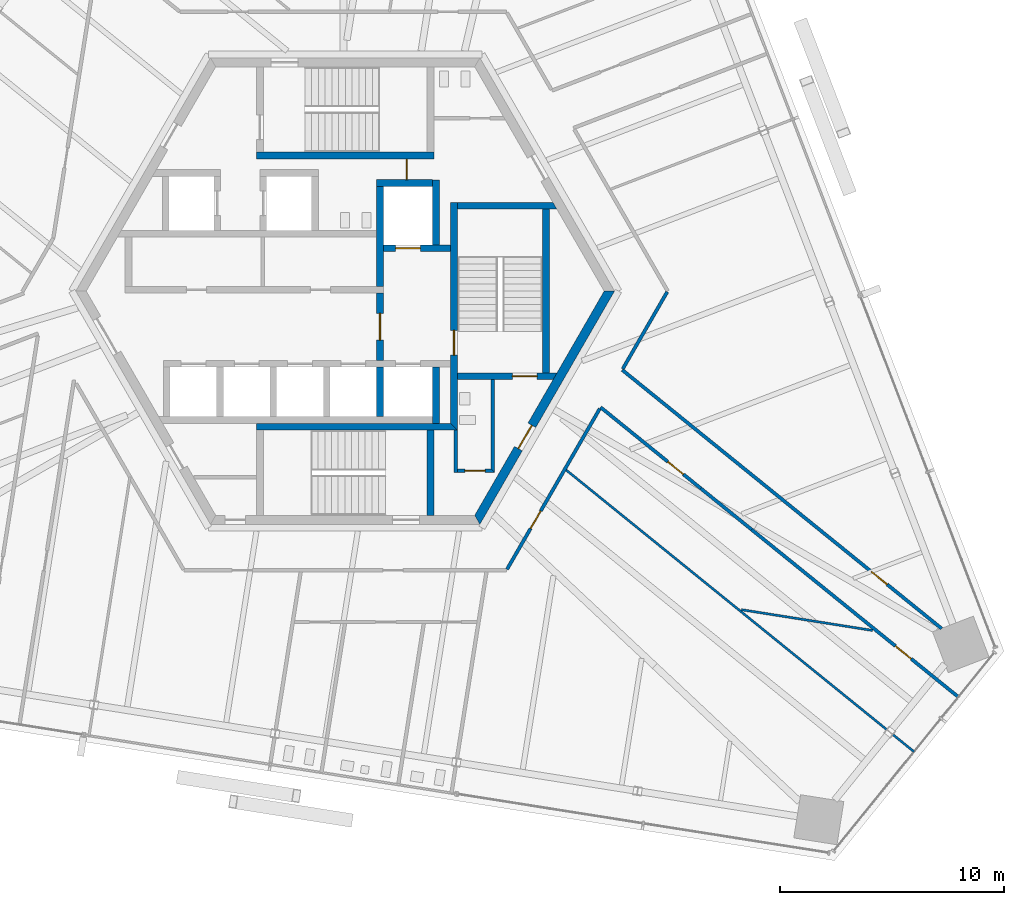
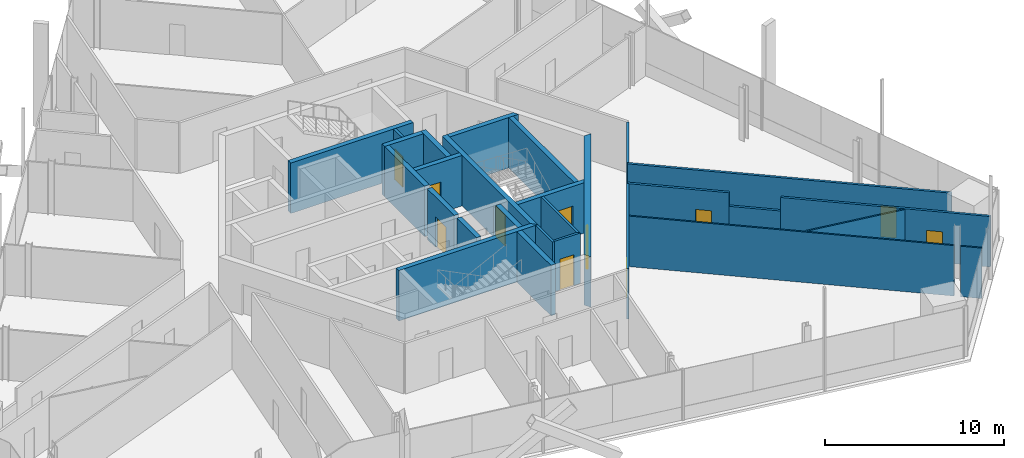
# One storey, part 13 of 22: 28 walls, 11 doors, 11 openings.
"""IFC4 building model written with IfcOpenShell, lengths in metres."""

from ifc_helpers import new_model, si_unit, direction, frame, frame_2d, origin, place, context, subcontext, project, spatial, polyline, rectangle, outline, extrude, source, transform, mapped, material, layer, layer_set, type_object, element, fill, save


model = new_model("IFC4")

# Units and contexts
model_context = context("Model", 3, precision=1e-05, world=origin(), true_north=direction((0.0, 1.0)))
body_context = subcontext(model_context, "Body", "Model", "MODEL_VIEW")
ifc_project = project(units=[si_unit("LENGTHUNIT", "METRE"), si_unit("AREAUNIT", "SQUARE_METRE"), si_unit("VOLUMEUNIT", "CUBIC_METRE"), si_unit("PLANEANGLEUNIT", "RADIAN"), si_unit("MASSUNIT", "GRAM", prefix="KILO")], contexts=[model_context])

# Site, building, storey
site_placement = place(None, origin())
site = spatial("IfcSite", under=ifc_project, at=site_placement, CompositionType="ELEMENT")
building_placement = place(site_placement, origin())
building = spatial("IfcBuilding", under=site, at=building_placement, Name="Triune Harvest Tower", CompositionType="ELEMENT")
storey_placement = place(building_placement, frame((0.0, 0.0, 153.300048828125)))
storey = spatial("IfcBuildingStorey", under=building, at=storey_placement, Name="L39", CompositionType="ELEMENT", Elevation=153.300048828125)

# Wall, opening, door
ifc_material_1 = material(Name="Gypsum board on steel studs", Category="steel")
ifc_layer_1 = layer(ifc_material_1, 0.14990234375)
ifc_layer_set_1 = layer_set([ifc_layer_1], Name="Gypsum board on steel studs")
wall_type_1 = type_object("IfcWallType", Name="Fire Partition 150 mm", PredefinedType="PARTITIONING", material=ifc_layer_set_1)
wall_1_placement = place(storey_placement, frame((11.37841796875, -5.1767578125, 0.0), z_axis=(0.0, 0.0, 1.0), x_axis=(0.777137017036, -0.62933143633, 0.0)))
wall_1 = element("IfcWall", 1, at=wall_1_placement, inside=storey, type_object=wall_type_1, Name="Partition L39 014", PredefinedType="PARTITIONING", context=body_context, shape_type="SweptSolid", body=[
    extrude(rectangle(XDim=5.74658203125, YDim=0.14990234375, at=frame_2d((2.873291015625, 0.0))), origin(), (0.0, 0.0, 1.0), 3.43994140625),
])
opening_1_placement = place(wall_1_placement, frame((3.85009765625, 0.0, 0.0)))
opening_1 = element("IfcOpeningElement", 2, at=opening_1_placement, cuts=wall_1, Name="Opening L39-001", PredefinedType="OPENING", context=body_context, shape_type="SweptSolid", body=[
    extrude(rectangle(XDim=0.89990234375, YDim=2.10009765625, at=frame_2d((0.449951171875, 1.050048828125))), frame((0.0, 0.0849609375, 0.0), z_axis=(0.0, -1.0, 0.0), x_axis=(1.0, 0.0, 0.0)), (0.0, 0.0, 1.0), 0.169921875),
])
ifc_material_2 = material(Name="Timber and steel door set", Category="steel")
door_type_1 = type_object("IfcDoorType", Name="Single leaf door FD30 right hand 900 x 2100", OperationType="SINGLE_SWING_RIGHT", PredefinedType="DOOR", material=ifc_material_2)
door_1_placement = place(opening_1_placement, origin())
door_1 = element("IfcDoor", 3, at=door_1_placement, inside=storey, type_object=door_type_1, Name="Door L39-001 Dry Store Room 39.01", OperationType="SINGLE_SWING_RIGHT", OverallHeight=2.10009765625, OverallWidth=0.89990234375, PredefinedType="DOOR", context=body_context, shape_type="SweptSolid", body=[
    extrude(rectangle(XDim=0.89990234375, YDim=2.10009765625, at=frame_2d((0.449951171875, 1.050048828125))), frame((0.0, 0.02490234375, 0.0), z_axis=(0.0, -1.0, 0.0), x_axis=(1.0, 0.0, 0.0)), (0.0, 0.0, 1.0), 0.050048828125),
])
fill(opening_1, door_1)

wall_2_placement = place(storey_placement, frame((18.10693359375, -10.62548828125, 0.0), z_axis=(0.0, 0.0, 1.0), x_axis=(0.777142669677, -0.629324456037, 0.0)))
wall_2 = element("IfcWall", 4, at=wall_2_placement, inside=storey, type_object=wall_type_1, Name="Partition L39 014b", PredefinedType="PARTITIONING", context=body_context, shape_type="SweptSolid", body=[
    extrude(rectangle(XDim=11.850341796875, YDim=0.14990234375, at=frame_2d((5.92529296875, 0.0))), origin(), (0.0, 0.0, 1.0), 3.43994140625),
])
opening_2_placement = place(wall_2_placement, frame((8.2421875, 0.0, 0.0)))
opening_2 = element("IfcOpeningElement", 5, at=opening_2_placement, cuts=wall_2, Name="Opening L39-026", PredefinedType="OPENING", context=body_context, shape_type="SweptSolid", body=[
    extrude(rectangle(XDim=0.89990234375, YDim=2.10009765625, at=frame_2d((0.449951171875, 1.050048828125))), frame((0.0, 0.0849609375, 0.0), z_axis=(0.0, -1.0, 0.0), x_axis=(1.0, 0.0, 0.0)), (0.0, 0.0, 1.0), 0.169921875),
])
ifc_material_3 = material(Name="Timber and steel door set", Category="steel")
door_type_2 = type_object("IfcDoorType", Name="Single leaf door FD30 left hand 900 x 2100", OperationType="SINGLE_SWING_LEFT", PredefinedType="DOOR", material=ifc_material_3)
door_2_placement = place(opening_2_placement, origin())
door_2 = element("IfcDoor", 6, at=door_2_placement, inside=storey, type_object=door_type_2, Name="Door L39-026 Open Office 39.26", OperationType="SINGLE_SWING_LEFT", OverallHeight=2.10009765625, OverallWidth=0.89990234375, PredefinedType="DOOR", context=body_context, shape_type="SweptSolid", body=[
    extrude(rectangle(XDim=0.89990234375, YDim=2.10009765625, at=frame_2d((0.449951171875, 1.050048828125))), frame((0.0, 0.02490234375, 0.0), z_axis=(0.0, -1.0, 0.0), x_axis=(1.0, 0.0, 0.0)), (0.0, 0.0, 1.0), 0.050048828125),
])
fill(opening_2, door_2)

wall_3_placement = place(storey_placement, frame((12.340087890625, -3.5107421875, 0.0), z_axis=(0.0, 0.0, 1.0), x_axis=(0.777147069828, -0.629319022323, 0.0)))
wall_3 = element("IfcWall", 7, at=wall_3_placement, inside=storey, type_object=wall_type_1, Name="Partition L39 017", PredefinedType="PARTITIONING", context=body_context, shape_type="SweptSolid", body=[
    extrude(rectangle(XDim=18.313720703125, YDim=0.14990234375, at=frame_2d((9.15673828125, 0.0))), origin(), (0.0, 0.0, 1.0), 3.43994140625),
])
opening_3_placement = place(wall_3_placement, frame((14.292236328125, 0.0, 0.0)))
opening_3 = element("IfcOpeningElement", 8, at=opening_3_placement, cuts=wall_3, Name="Opening L39-002", PredefinedType="OPENING", context=body_context, shape_type="SweptSolid", body=[
    extrude(rectangle(XDim=0.89990234375, YDim=2.10009765625, at=frame_2d((0.449951171875, 1.050048828125))), frame((0.0, 0.0849609375, 0.0), z_axis=(0.0, -1.0, 0.0), x_axis=(1.0, 0.0, 0.0)), (0.0, 0.0, 1.0), 0.169921875),
])
door_3_placement = place(opening_3_placement, origin())
door_3 = element("IfcDoor", 9, at=door_3_placement, inside=storey, type_object=door_type_1, Name="Door L39-002 Open Office 39.02", OperationType="SINGLE_SWING_RIGHT", OverallHeight=2.10009765625, OverallWidth=0.89990234375, PredefinedType="DOOR", context=body_context, shape_type="SweptSolid", body=[
    extrude(rectangle(XDim=0.89990234375, YDim=2.10009765625, at=frame_2d((0.449951171875, 1.050048828125))), frame((0.0, 0.02490234375, 0.0), z_axis=(0.0, -1.0, 0.0), x_axis=(1.0, 0.0, 0.0)), (0.0, 0.0, 1.0), 0.050048828125),
])
fill(opening_3, door_3)

wall_4_placement = place(storey_placement, frame((7.20849609375, -12.39892578125, 0.0), z_axis=(0.0, 0.0, 1.0), x_axis=(0.500000159503, 0.866025311695, 0.0)))
wall_4 = element("IfcWall", 10, at=wall_4_placement, inside=storey, type_object=wall_type_1, Name="Partition L39 038", PredefinedType="PARTITIONING", context=body_context, shape_type="SweptSolid", body=[
    extrude(rectangle(XDim=8.26953125, YDim=0.14990234375, at=frame_2d((4.134765625, 0.0))), origin(), (0.0, 0.0, 1.0), 3.43994140625),
])
opening_4_placement = place(wall_4_placement, frame((2.10009765625, 0.0, 0.0)))
opening_4 = element("IfcOpeningElement", 11, at=opening_4_placement, cuts=wall_4, Name="Opening L39-025", PredefinedType="OPENING", context=body_context, shape_type="SweptSolid", body=[
    extrude(rectangle(XDim=0.89990234375, YDim=2.10009765625, at=frame_2d((0.449951171875, 1.050048828125))), frame((0.0, 0.0849609375, 0.0), z_axis=(0.0, -1.0, 0.0), x_axis=(1.0, 0.0, 0.0)), (0.0, 0.0, 1.0), 0.169921875),
])
door_4_placement = place(opening_4_placement, origin())
door_4 = element("IfcDoor", 12, at=door_4_placement, inside=storey, type_object=door_type_1, Name="Door L39-025 Open Office 39.25", OperationType="SINGLE_SWING_RIGHT", OverallHeight=2.10009765625, OverallWidth=0.89990234375, PredefinedType="DOOR", context=body_context, shape_type="SweptSolid", body=[
    extrude(rectangle(XDim=0.89990234375, YDim=2.10009765625, at=frame_2d((0.449951171875, 1.050048828125))), frame((0.0, 0.02490234375, 0.0), z_axis=(0.0, -1.0, 0.0), x_axis=(1.0, 0.0, 0.0)), (0.0, 0.0, 1.0), 0.050048828125),
])
fill(opening_4, door_4)

# Walls
wall_5_placement = place(storey_placement, frame((12.364990234375, -3.467529296875, 0.0), z_axis=(0.0, 0.0, 1.0), x_axis=(0.500040549525, 0.866001991239, 0.0)))
element("IfcWall", 13, at=wall_5_placement, inside=storey, type_object=wall_type_1, Name="Partition L39 039", PredefinedType="PARTITIONING", context=body_context, shape_type="SweptSolid", body=[
    extrude(rectangle(XDim=3.964111328125, YDim=0.14990234375, at=frame_2d((1.98193359375, 0.0))), origin(), (0.0, 0.0, 1.0), 3.43994140625),
])
ifc_material_4 = material(Name="Gypsum board on steel studs", Category="steel")
ifc_layer_2 = layer(ifc_material_4, 0.10009765625)
ifc_layer_set_2 = layer_set([ifc_layer_2], Name="Gypsum board on steel studs")
wall_type_2 = type_object("IfcWallType", Name="Partition 100 mm", PredefinedType="PARTITIONING", material=ifc_layer_set_2)
wall_6_placement = place(storey_placement, frame((9.7900390625, -7.927734375, 0.0), z_axis=(0.0, 0.0, 1.0), x_axis=(0.777145306785, -0.629321199501, 0.0)))
element("IfcWall", 14, at=wall_6_placement, inside=storey, type_object=wall_type_2, Name="Partition L39 011", PredefinedType="PARTITIONING", context=body_context, shape_type="SweptSolid", body=[
    extrude(rectangle(XDim=18.4462890625, YDim=0.10009765625, at=frame_2d((9.22314453125, 0.0))), origin(), (0.0, 0.0, 1.0), 3.43994140625),
])
wall_7_placement = place(storey_placement, frame((17.64697265625, -14.193603515625, 0.0), z_axis=(0.0, 0.0, 1.0), x_axis=(0.987690356571, -0.15642173614, 0.0)))
element("IfcWall", 15, at=wall_7_placement, inside=storey, type_object=wall_type_2, Name="Partition L39 022", PredefinedType="PARTITIONING", context=body_context, shape_type="SweptSolid", body=[
    extrude(rectangle(XDim=5.9248046875, YDim=0.10009765625, at=frame_2d((2.96240234375, 0.0))), origin(), (0.0, 0.0, 1.0), 3.43994140625),
])

# Wall, opening, door
ifc_material_5 = material(Name="Concrete 70 MPa", Category="concrete")
ifc_layer_3 = layer(ifc_material_5, 0.39990234375)
ifc_layer_set_3 = layer_set([ifc_layer_3], Name="Concrete 70 MPa")
wall_type_3 = type_object("IfcWallType", Name="Core wall 400", PredefinedType="SHEAR", material=ifc_layer_set_3)
shared_shape_1 = source(origin(), body_context, "Body", "SweptSolid", [
    extrude(outline(polyline([(-0.115478515625, -0.199951171875), (11.884521484375, -0.199951171875), (11.653564453125, 0.199951171875), (0.115478515625, 0.199951171875), (-0.115478515625, -0.199951171875)])), origin(), (0.0, 0.0, 1.0), 3.43994140625),
])
wall_8_placement = place(storey_placement, frame((5.884521484375, -10.1923828125, 0.0), z_axis=(0.0, 0.0, 1.0), x_axis=(0.499996592174, 0.866027371285, 0.0)))
wall_8 = element("IfcWall", 16, at=wall_8_placement, inside=storey, type_object=wall_type_3, Name="Hexagon 5 wall", PredefinedType="SHEAR", context=body_context, shape_type="MappedRepresentation", body=[
    mapped(shared_shape_1, transform((0.0, 0.0, 0.0), scale=1.0)),
])
opening_5_placement = place(wall_8_placement, frame((3.66455078125, 0.0, 0.0)))
opening_5 = element("IfcOpeningElement", 17, at=opening_5_placement, cuts=wall_8, Name="Opening CD-DP", PredefinedType="OPENING", context=body_context, shape_type="SweptSolid", body=[
    extrude(rectangle(XDim=1.199951171875, YDim=2.10009765625, at=frame_2d((0.60009765625, 1.050048828125))), frame((0.0, 0.2099609375, 0.0), z_axis=(0.0, -1.0, 0.0), x_axis=(1.0, 0.0, 0.0)), (0.0, 0.0, 1.0), 0.419921875),
])
ifc_material_6 = material(Name="Steel S235", Category="steel")
door_type_3 = type_object("IfcDoorType", Name="Stair door 1200 FD120", OperationType="SINGLE_SWING_LEFT", PredefinedType="DOOR", material=ifc_material_6)
door_5_placement = place(opening_5_placement, frame((1.199951171875, 0.0, 0.0), z_axis=(0.0, 0.0, 1.0), x_axis=(-1.0, 0.0, 0.0)))
door_5 = element("IfcDoor", 18, at=door_5_placement, inside=storey, type_object=door_type_3, Name="Door CD-DP", OperationType="SINGLE_SWING_RIGHT", OverallHeight=2.10009765625, OverallWidth=1.199951171875, PredefinedType="DOOR", context=body_context, shape_type="SweptSolid", body=[
    extrude(rectangle(XDim=1.199951171875, YDim=2.10009765625, at=frame_2d((0.60009765625, 1.050048828125))), frame((0.0, 0.02490234375, 0.0), z_axis=(0.0, -1.0, 0.0), x_axis=(1.0, 0.0, 0.0)), (0.0, 0.0, 1.0), 0.050048828125),
])
fill(opening_5, door_5)

# Walls
ifc_material_7 = material(Name="Concrete 70 MPa", Category="concrete")
ifc_layer_4 = layer(ifc_material_7, 0.300048828125)
ifc_layer_set_4 = layer_set([ifc_layer_4], Name="Concrete 70 MPa")
wall_type_4 = type_object("IfcWallType", Name="Core wall 300", PredefinedType="SHEAR", material=ifc_layer_set_4)
shared_shape_2 = source(origin(), body_context, "Body", "SweptSolid", [
    extrude(rectangle(XDim=2.5, YDim=0.300048828125, at=frame_2d((1.25, 0.0))), origin(), (0.0, 0.0, 1.0), 3.43994140625),
])
for number, where, z_axis, x_axis, name in (
    (19, (1.39990234375, 4.81005859375, 0.0), (0.0, 0.0, 1.0), (1.0, 0.0, 0.0), "Ff1 back wall"),
    (20, (4.050048828125, -5.889892578125, 0.0), (0.0, 0.0, 1.0), (0.0, 1.0, 0.0), "Ff2 east wall"),
):
    element("IfcWall", number, at=place(storey_placement, frame(where, z_axis=z_axis, x_axis=x_axis)), inside=storey, type_object=wall_type_4, Name=name, PredefinedType="SHEAR", context=body_context, shape_type="MappedRepresentation", body=[
        mapped(shared_shape_2, transform((0.0, 0.0, 0.0), scale=1.0)),
    ])
shared_shape_3 = source(origin(), body_context, "Body", "SweptSolid", [
    extrude(rectangle(XDim=4.449951171875, YDim=0.300048828125, at=frame_2d((2.22509765625, 0.0))), origin(), (0.0, 0.0, 1.0), 3.43994140625),
])
wall_9_placement = place(storey_placement, frame((1.550048828125, 0.2099609375, 0.0), z_axis=(0.0, 0.0, 1.0), x_axis=(0.0, 1.0, 0.0)))
element("IfcWall", 21, at=wall_9_placement, inside=storey, type_object=wall_type_4, Name="Ff1 west wall", PredefinedType="SHEAR", context=body_context, shape_type="MappedRepresentation", body=[
    mapped(shared_shape_3, transform((0.0, 0.0, 0.0), scale=1.0)),
])

# Wall, opening, door
shared_shape_4 = source(origin(), body_context, "Body", "SweptSolid", [
    extrude(rectangle(XDim=3.0, YDim=0.300048828125, at=frame_2d((1.5, 0.0))), origin(), (0.0, 0.0, 1.0), 3.43994140625),
])
wall_10_placement = place(storey_placement, frame((1.699951171875, 1.909912109375, 0.0), z_axis=(0.0, 0.0, 1.0), x_axis=(1.0, 0.0, 0.0)))
wall_10 = element("IfcWall", 22, at=wall_10_placement, inside=storey, type_object=wall_type_4, Name="Ff1 front wall", PredefinedType="SHEAR", context=body_context, shape_type="MappedRepresentation", body=[
    mapped(shared_shape_4, transform((0.0, 0.0, 0.0), scale=1.0)),
])
opening_6_placement = place(wall_10_placement, frame((0.550048828125, 0.0, 0.0)))
opening_6 = element("IfcOpeningElement", 23, at=opening_6_placement, cuts=wall_10, Name="Opening LD-FF1-39", PredefinedType="OPENING", context=body_context, shape_type="SweptSolid", body=[
    extrude(rectangle(XDim=1.10009765625, YDim=2.10009765625, at=frame_2d((0.550048828125, 1.050048828125))), frame((0.0, 0.16015625, 0.0), z_axis=(0.0, -1.0, 0.0), x_axis=(1.0, 0.0, 0.0)), (0.0, 0.0, 1.0), 0.320068359375),
])
ifc_material_8 = material(Name="Stainless steel AISI 304", Category="steel")
door_type_4 = type_object("IfcDoorType", Name="Landing door 1100 x 2100", OperationType="DOUBLE_DOOR_SLIDING", PredefinedType="DOOR", material=ifc_material_8)
door_6_placement = place(opening_6_placement, origin())
door_6 = element("IfcDoor", 24, at=door_6_placement, inside=storey, type_object=door_type_4, Name="Door LD-FF1-39", OperationType="DOUBLE_DOOR_SLIDING", OverallHeight=2.10009765625, OverallWidth=1.10009765625, PredefinedType="DOOR", context=body_context, shape_type="SweptSolid", body=[
    extrude(rectangle(XDim=1.10009765625, YDim=2.10009765625, at=frame_2d((0.550048828125, 1.050048828125))), frame((0.0, 0.02490234375, 0.0), z_axis=(0.0, -1.0, 0.0), x_axis=(1.0, 0.0, 0.0)), (0.0, 0.0, 1.0), 0.050048828125),
])
fill(opening_6, door_6)

wall_11_placement = place(storey_placement, frame((1.550048828125, -3.090087890625, 0.0), z_axis=(0.0, 0.0, 1.0), x_axis=(0.0, 1.0, 0.0)))
wall_11 = element("IfcWall", 25, at=wall_11_placement, inside=storey, type_object=wall_type_4, Name="Ff lobby west wall", PredefinedType="SHEAR", context=body_context, shape_type="MappedRepresentation", body=[
    mapped(shared_shape_4, transform((0.0, 0.0, 0.0), scale=1.0)),
])
opening_7_placement = place(wall_11_placement, frame((0.89990234375, 0.0, 0.0)))
opening_7 = element("IfcOpeningElement", 26, at=opening_7_placement, cuts=wall_11, Name="Opening CD-FL", PredefinedType="OPENING", context=body_context, shape_type="SweptSolid", body=[
    extrude(rectangle(XDim=1.199951171875, YDim=2.10009765625, at=frame_2d((0.60009765625, 1.050048828125))), frame((0.0, 0.16015625, 0.0), z_axis=(0.0, -1.0, 0.0), x_axis=(1.0, 0.0, 0.0)), (0.0, 0.0, 1.0), 0.320068359375),
])
ifc_material_9 = material(Name="Steel S235", Category="steel")
door_type_5 = type_object("IfcDoorType", Name="Firefighters' lobby door 1200 FD120", OperationType="SINGLE_SWING_LEFT", PredefinedType="DOOR", material=ifc_material_9)
door_7_placement = place(opening_7_placement, frame((1.199951171875, 0.0, 0.0), z_axis=(0.0, 0.0, 1.0), x_axis=(-1.0, 0.0, 0.0)))
door_7 = element("IfcDoor", 27, at=door_7_placement, inside=storey, type_object=door_type_5, Name="Door CD-FL", OperationType="SINGLE_SWING_RIGHT", OverallHeight=2.10009765625, OverallWidth=1.199951171875, PredefinedType="DOOR", context=body_context, shape_type="SweptSolid", body=[
    extrude(rectangle(XDim=1.199951171875, YDim=2.10009765625, at=frame_2d((0.60009765625, 1.050048828125))), frame((0.0, 0.02490234375, 0.0), z_axis=(0.0, -1.0, 0.0), x_axis=(1.0, 0.0, 0.0)), (0.0, 0.0, 1.0), 0.050048828125),
])
fill(opening_7, door_7)

# Walls
shared_shape_5 = source(origin(), body_context, "Body", "SweptSolid", [
    extrude(rectangle(XDim=2.89990234375, YDim=0.300048828125, at=frame_2d((1.449951171875, 0.0))), origin(), (0.0, 0.0, 1.0), 3.43994140625),
])
wall_12_placement = place(storey_placement, frame((4.050048828125, 2.06005859375, 0.0), z_axis=(0.0, 0.0, 1.0), x_axis=(0.0, 1.0, 0.0)))
element("IfcWall", 28, at=wall_12_placement, inside=storey, type_object=wall_type_4, Name="Ff1 east wall", PredefinedType="SHEAR", context=body_context, shape_type="MappedRepresentation", body=[
    mapped(shared_shape_5, transform((0.0, 0.0, 0.0), scale=1.0)),
])
shared_shape_6 = source(origin(), body_context, "Body", "SweptSolid", [
    extrude(rectangle(XDim=2.2001953125, YDim=0.300048828125, at=frame_2d((1.10009765625, 0.0))), origin(), (0.0, 0.0, 1.0), 3.43994140625),
])
wall_13_placement = place(storey_placement, frame((1.550048828125, -5.590087890625, 0.0), z_axis=(0.0, 0.0, 1.0), x_axis=(0.0, 1.0, 0.0)))
element("IfcWall", 29, at=wall_13_placement, inside=storey, type_object=wall_type_4, Name="Ff2 west wall", PredefinedType="SHEAR", context=body_context, shape_type="MappedRepresentation", body=[
    mapped(shared_shape_6, transform((0.0, 0.0, 0.0), scale=1.0)),
])

# Wall, opening, door
shared_shape_7 = source(origin(), body_context, "Body", "SweptSolid", [
    extrude(outline(polyline([(-0.14990234375, -0.14990234375), (9.989990234375, -0.14990234375), (9.989990234375, 0.14990234375), (0.14990234375, 0.14990234375), (-0.14990234375, -0.14990234375)])), origin(), (0.0, 0.0, 1.0), 3.43994140625),
])
wall_14_placement = place(storey_placement, frame((4.85009765625, -6.0400390625, 0.0), z_axis=(0.0, 0.0, 1.0), x_axis=(0.0, 1.0, 0.0)))
wall_14 = element("IfcWall", 30, at=wall_14_placement, inside=storey, type_object=wall_type_4, Name="Stair e west wall", PredefinedType="SHEAR", context=body_context, shape_type="MappedRepresentation", body=[
    mapped(shared_shape_7, transform((0.0, 0.0, 0.0), scale=1.0)),
])
opening_8_placement = place(wall_14_placement, frame((3.18994140625, 0.0, 0.0)))
opening_8 = element("IfcOpeningElement", 31, at=opening_8_placement, cuts=wall_14, Name="Opening CD-S3L", PredefinedType="OPENING", context=body_context, shape_type="SweptSolid", body=[
    extrude(rectangle(XDim=1.10009765625, YDim=2.10009765625, at=frame_2d((0.550048828125, 1.050048828125))), frame((0.0, 0.16015625, 0.0), z_axis=(0.0, -1.0, 0.0), x_axis=(1.0, 0.0, 0.0)), (0.0, 0.0, 1.0), 0.320068359375),
])
ifc_material_10 = material(Name="Steel S235", Category="steel")
door_type_6 = type_object("IfcDoorType", Name="Stair door 1100 FD120", OperationType="SINGLE_SWING_LEFT", PredefinedType="DOOR", material=ifc_material_10)
door_8_placement = place(opening_8_placement, frame((1.10009765625, 0.0, 0.0), z_axis=(0.0, 0.0, 1.0), x_axis=(-1.0, 0.0, 0.0)))
door_8 = element("IfcDoor", 32, at=door_8_placement, inside=storey, type_object=door_type_6, Name="Door CD-S3L", OperationType="SINGLE_SWING_RIGHT", OverallHeight=2.10009765625, OverallWidth=1.10009765625, PredefinedType="DOOR", context=body_context, shape_type="SweptSolid", body=[
    extrude(rectangle(XDim=1.10009765625, YDim=2.10009765625, at=frame_2d((0.550048828125, 1.050048828125))), frame((0.0, 0.02490234375, 0.0), z_axis=(0.0, -1.0, 0.0), x_axis=(1.0, 0.0, 0.0)), (0.0, 0.0, 1.0), 0.050048828125),
])
fill(opening_8, door_8)

# Wall
shared_shape_8 = source(origin(), body_context, "Body", "SweptSolid", [
    extrude(outline(polyline([(0.0, -0.14990234375), (0.0, 0.14990234375), (4.260009765625, 0.14990234375), (4.43310546875, -0.14990234375), (0.0, -0.14990234375)])), origin(), (0.0, 0.0, 1.0), 3.43994140625),
])
wall_15_placement = place(storey_placement, frame((5.0, 3.800048828125, 0.0), z_axis=(0.0, 0.0, 1.0), x_axis=(1.0, 0.0, 0.0)))
element("IfcWall", 33, at=wall_15_placement, inside=storey, type_object=wall_type_4, Name="Stair e north wall", PredefinedType="SHEAR", context=body_context, shape_type="MappedRepresentation", body=[
    mapped(shared_shape_8, transform((0.0, 0.0, 0.0), scale=1.0)),
])

# Wall, opening, door
shared_shape_9 = source(origin(), body_context, "Body", "SweptSolid", [
    extrude(outline(polyline([(0.0, -0.14990234375), (0.0, 0.14990234375), (4.43310546875, 0.14990234375), (4.260009765625, -0.14990234375), (0.0, -0.14990234375)])), origin(), (0.0, 0.0, 1.0), 3.43994140625),
])
wall_16_placement = place(storey_placement, frame((5.0, -3.800048828125, 0.0), z_axis=(0.0, 0.0, 1.0), x_axis=(1.0, 0.0, 0.0)))
wall_16 = element("IfcWall", 34, at=wall_16_placement, inside=storey, type_object=wall_type_4, Name="Stair e south wall", PredefinedType="SHEAR", context=body_context, shape_type="MappedRepresentation", body=[
    mapped(shared_shape_9, transform((0.0, 0.0, 0.0), scale=1.0)),
])
opening_9_placement = place(wall_16_placement, frame((2.449951171875, 0.0, 0.0)))
opening_9 = element("IfcOpeningElement", 35, at=opening_9_placement, cuts=wall_16, Name="Opening CD-S3D", PredefinedType="OPENING", context=body_context, shape_type="SweptSolid", body=[
    extrude(rectangle(XDim=1.10009765625, YDim=2.10009765625, at=frame_2d((0.550048828125, 1.050048828125))), frame((0.0, 0.16015625, 0.0), z_axis=(0.0, -1.0, 0.0), x_axis=(1.0, 0.0, 0.0)), (0.0, 0.0, 1.0), 0.320068359375),
])
door_9_placement = place(opening_9_placement, frame((1.10009765625, 0.0, 0.0), z_axis=(0.0, 0.0, 1.0), x_axis=(-1.0, 0.0, 0.0)))
door_9 = element("IfcDoor", 36, at=door_9_placement, inside=storey, type_object=door_type_6, Name="Door CD-S3D", OperationType="SINGLE_SWING_RIGHT", OverallHeight=2.10009765625, OverallWidth=1.10009765625, PredefinedType="DOOR", context=body_context, shape_type="SweptSolid", body=[
    extrude(rectangle(XDim=1.10009765625, YDim=2.10009765625, at=frame_2d((0.550048828125, 1.050048828125))), frame((0.0, 0.02490234375, 0.0), z_axis=(0.0, -1.0, 0.0), x_axis=(1.0, 0.0, 0.0)), (0.0, 0.0, 1.0), 0.050048828125),
])
fill(opening_9, door_9)

# Walls
shared_shape_10 = source(origin(), body_context, "Body", "SweptSolid", [
    extrude(rectangle(XDim=7.2998046875, YDim=0.300048828125, at=frame_2d((3.64990234375, 0.0))), origin(), (0.0, 0.0, 1.0), 3.43994140625),
])
wall_17_placement = place(storey_placement, frame((8.949951171875, -3.64990234375, 0.0), z_axis=(0.0, 0.0, 1.0), x_axis=(0.0, 1.0, 0.0)))
element("IfcWall", 37, at=wall_17_placement, inside=storey, type_object=wall_type_4, Name="Stair e east wall", PredefinedType="SHEAR", context=body_context, shape_type="MappedRepresentation", body=[
    mapped(shared_shape_10, transform((0.0, 0.0, 0.0), scale=1.0)),
])
shared_shape_11 = source(origin(), body_context, "Body", "SweptSolid", [
    extrude(rectangle(XDim=7.89990234375, YDim=0.300048828125, at=frame_2d((3.949951171875, 0.0))), origin(), (0.0, 0.0, 1.0), 3.43994140625),
])
wall_18_placement = place(storey_placement, frame((-3.949951171875, 6.0400390625, 0.0), z_axis=(0.0, 0.0, 1.0), x_axis=(1.0, 0.0, 0.0)))
element("IfcWall", 38, at=wall_18_placement, inside=storey, type_object=wall_type_4, Name="Stair n south wall", PredefinedType="SHEAR", context=body_context, shape_type="MappedRepresentation", body=[
    mapped(shared_shape_11, transform((0.0, 0.0, 0.0), scale=1.0)),
])
shared_shape_12 = source(origin(), body_context, "Body", "SweptSolid", [
    extrude(outline(polyline([(0.0, -0.14990234375), (8.949951171875, -0.14990234375), (8.64990234375, 0.14990234375), (0.0, 0.14990234375), (0.0, -0.14990234375)])), origin(), (0.0, 0.0, 1.0), 3.43994140625),
])
wall_19_placement = place(storey_placement, frame((-3.949951171875, -6.0400390625, 0.0), z_axis=(0.0, 0.0, 1.0), x_axis=(1.0, 0.0, 0.0)))
element("IfcWall", 39, at=wall_19_placement, inside=storey, type_object=wall_type_4, Name="Stair s north wall", PredefinedType="SHEAR", context=body_context, shape_type="MappedRepresentation", body=[
    mapped(shared_shape_12, transform((0.0, 0.0, 0.0), scale=1.0)),
])
shared_shape_13 = source(origin(), body_context, "Body", "SweptSolid", [
    extrude(outline(polyline([(3.800048828125, -0.14990234375), (-0.00439453125, -0.14990234375), (-0.00439453125, 0.14990234375), (3.800048828125, 0.14990234375), (3.800048828125, -0.14990234375)])), origin(), (0.0, 0.0, 1.0), 3.43994140625),
])
wall_20_placement = place(storey_placement, frame((3.800048828125, -9.989990234375, 0.0), z_axis=(0.0, 0.0, 1.0), x_axis=(0.0, 1.0, 0.0)))
element("IfcWall", 40, at=wall_20_placement, inside=storey, type_object=wall_type_4, Name="Stair s east wall", PredefinedType="SHEAR", context=body_context, shape_type="MappedRepresentation", body=[
    mapped(shared_shape_13, transform((0.0, 0.0, 0.0), scale=1.0)),
])

# Wall, opening, door
ifc_material_11 = material(Name="Concrete masonry unit", Category="masonry")
ifc_layer_5 = layer(ifc_material_11, 0.14990234375)
ifc_layer_set_5 = layer_set([ifc_layer_5], Name="Concrete masonry unit")
wall_type_5 = type_object("IfcWallType", Name="Block partition 150 unrated", PredefinedType="PARTITIONING", material=ifc_layer_set_5)
shared_shape_14 = source(origin(), body_context, "Body", "SweptSolid", [
    extrude(outline(polyline([(0.0, -0.074951171875), (1.64990234375, -0.074951171875), (1.5, 0.074951171875), (0.0, 0.074951171875), (0.0, -0.074951171875)])), origin(), (0.0, 0.0, 1.0), 3.43994140625),
])
wall_21_placement = place(storey_placement, frame((5.0, -8.0, 0.0), z_axis=(0.0, 0.0, 1.0), x_axis=(1.0, 0.0, 0.0)))
wall_21 = element("IfcWall", 41, at=wall_21_placement, inside=storey, type_object=wall_type_5, Name="Wc acc south wall", PredefinedType="PARTITIONING", context=body_context, shape_type="MappedRepresentation", body=[
    mapped(shared_shape_14, transform((0.0, 0.0, 0.0), scale=1.0)),
])
opening_10_placement = place(wall_21_placement, frame((0.33740234375, 0.0, 0.0)))
opening_10 = element("IfcOpeningElement", 42, at=opening_10_placement, cuts=wall_21, Name="Opening CD-WA", PredefinedType="OPENING", context=body_context, shape_type="SweptSolid", body=[
    extrude(rectangle(XDim=0.89990234375, YDim=2.10009765625, at=frame_2d((0.449951171875, 1.050048828125))), frame((0.0, 0.0849609375, 0.0), z_axis=(0.0, -1.0, 0.0), x_axis=(1.0, 0.0, 0.0)), (0.0, 0.0, 1.0), 0.169921875),
])
ifc_material_12 = material(Name="Timber C24", Category="wood")
door_type_7 = type_object("IfcDoorType", Name="WC door 900", OperationType="SINGLE_SWING_LEFT", PredefinedType="DOOR", material=ifc_material_12)
door_10_placement = place(opening_10_placement, origin())
door_10 = element("IfcDoor", 43, at=door_10_placement, inside=storey, type_object=door_type_7, Name="Door CD-WA", OperationType="SINGLE_SWING_LEFT", OverallHeight=2.10009765625, OverallWidth=0.89990234375, PredefinedType="DOOR", context=body_context, shape_type="SweptSolid", body=[
    extrude(rectangle(XDim=0.89990234375, YDim=2.10009765625, at=frame_2d((0.449951171875, 1.050048828125))), frame((0.0, 0.02490234375, 0.0), z_axis=(0.0, -1.0, 0.0), x_axis=(1.0, 0.0, 0.0)), (0.0, 0.0, 1.0), 0.050048828125),
])
fill(opening_10, door_10)

# Walls
shared_shape_15 = source(origin(), body_context, "Body", "SweptSolid", [
    extrude(outline(polyline([(-0.074951171875, -0.074951171875), (4.050048828125, -0.074951171875), (4.050048828125, 0.074951171875), (0.074951171875, 0.074951171875), (-0.074951171875, -0.074951171875)])), origin(), (0.0, 0.0, 1.0), 3.43994140625),
])
wall_22_placement = place(storey_placement, frame((6.574951171875, -8.0, 0.0), z_axis=(0.0, 0.0, 1.0), x_axis=(0.0, 1.0, 0.0)))
element("IfcWall", 44, at=wall_22_placement, inside=storey, type_object=wall_type_5, Name="Wc acc east wall", PredefinedType="PARTITIONING", context=body_context, shape_type="MappedRepresentation", body=[
    mapped(shared_shape_15, transform((0.0, 0.0, 0.0), scale=1.0)),
])
shared_shape_16 = source(origin(), body_context, "Body", "SweptSolid", [
    extrude(rectangle(XDim=1.885009765625, YDim=0.14990234375, at=frame_2d((0.9423828125, 0.0))), origin(), (0.0, 0.0, 1.0), 3.43994140625),
])
wall_23_placement = place(storey_placement, frame((4.925048828125, -8.074951171875, 0.0), z_axis=(0.0, 0.0, 1.0), x_axis=(0.0, 1.0, 0.0)))
element("IfcWall", 45, at=wall_23_placement, inside=storey, type_object=wall_type_5, Name="Wc acc west wall", PredefinedType="PARTITIONING", context=body_context, shape_type="MappedRepresentation", body=[
    mapped(shared_shape_16, transform((0.0, 0.0, 0.0), scale=1.0)),
])

# Wall, opening, door
shared_shape_17 = source(origin(), body_context, "Body", "SweptSolid", [
    extrude(rectangle(XDim=0.929931640625, YDim=0.14990234375, at=frame_2d((0.46484375, 0.0))), origin(), (0.0, 0.0, 1.0), 3.43994140625),
])
wall_24_placement = place(storey_placement, frame((2.75, 4.9599609375, 0.0), z_axis=(0.0, 0.0, 1.0), x_axis=(0.0, 1.0, 0.0)))
wall_24 = element("IfcWall", 46, at=wall_24_placement, inside=storey, type_object=wall_type_5, Name="Wc men east b wall", PredefinedType="PARTITIONING", context=body_context, shape_type="MappedRepresentation", body=[
    mapped(shared_shape_17, transform((0.0, 0.0, 0.0), scale=1.0)),
])
opening_11_placement = place(wall_24_placement, frame((0.014892578125, 0.0, 0.0)))
opening_11 = element("IfcOpeningElement", 47, at=opening_11_placement, cuts=wall_24, Name="Opening CD-WM", PredefinedType="OPENING", context=body_context, shape_type="SweptSolid", body=[
    extrude(rectangle(XDim=0.89990234375, YDim=2.10009765625, at=frame_2d((0.449951171875, 1.050048828125))), frame((0.0, 0.0849609375, 0.0), z_axis=(0.0, -1.0, 0.0), x_axis=(1.0, 0.0, 0.0)), (0.0, 0.0, 1.0), 0.169921875),
])
door_11_placement = place(opening_11_placement, origin())
door_11 = element("IfcDoor", 48, at=door_11_placement, inside=storey, type_object=door_type_7, Name="Door CD-WM", OperationType="SINGLE_SWING_LEFT", OverallHeight=2.10009765625, OverallWidth=0.89990234375, PredefinedType="DOOR", context=body_context, shape_type="SweptSolid", body=[
    extrude(rectangle(XDim=0.89990234375, YDim=2.10009765625, at=frame_2d((0.449951171875, 1.050048828125))), frame((0.0, 0.02490234375, 0.0), z_axis=(0.0, -1.0, 0.0), x_axis=(1.0, 0.0, 0.0)), (0.0, 0.0, 1.0), 0.050048828125),
])
fill(opening_11, door_11)

# Walls
shared_shape_18 = source(origin(), body_context, "Body", "SweptSolid", [
    extrude(rectangle(XDim=1.212158203125, YDim=0.10009765625, at=frame_2d((0.60595703125, 0.0))), origin(), (0.0, 0.0, 1.0), 3.43994140625),
])
wall_25_placement = place(storey_placement, frame((24.39990234375, -19.7587890625, 0.0), z_axis=(0.0, 0.0, 1.0), x_axis=(0.777240180322, -0.629204022629, 0.0)))
element("IfcWall", 49, at=wall_25_placement, inside=storey, type_object=wall_type_2, Name="Partition L39 012", PredefinedType="PARTITIONING", context=body_context, shape_type="MappedRepresentation", body=[
    mapped(shared_shape_18, transform((0.0, 0.0, 0.0), scale=1.0)),
])
shared_shape_19 = source(origin(), body_context, "Body", "SweptSolid", [
    extrude(rectangle(XDim=2.91162109375, YDim=0.14990234375, at=frame_2d((1.455810546875, 0.0))), origin(), (0.0, 0.0, 1.0), 2.51806640625),
])
wall_26_placement = place(storey_placement, frame((15.84423828125, -8.793212890625, 0.0), z_axis=(0.0, 0.0, 1.0), x_axis=(0.777149177459, -0.629316419597, 0.0)))
element("IfcWall", 50, at=wall_26_placement, inside=storey, type_object=wall_type_1, Name="Partition L39 014a", PredefinedType="PARTITIONING", context=body_context, shape_type="MappedRepresentation", body=[
    mapped(shared_shape_19, transform((0.0, 0.0, 0.0), scale=1.0)),
])

save(model, "model.ifc")
